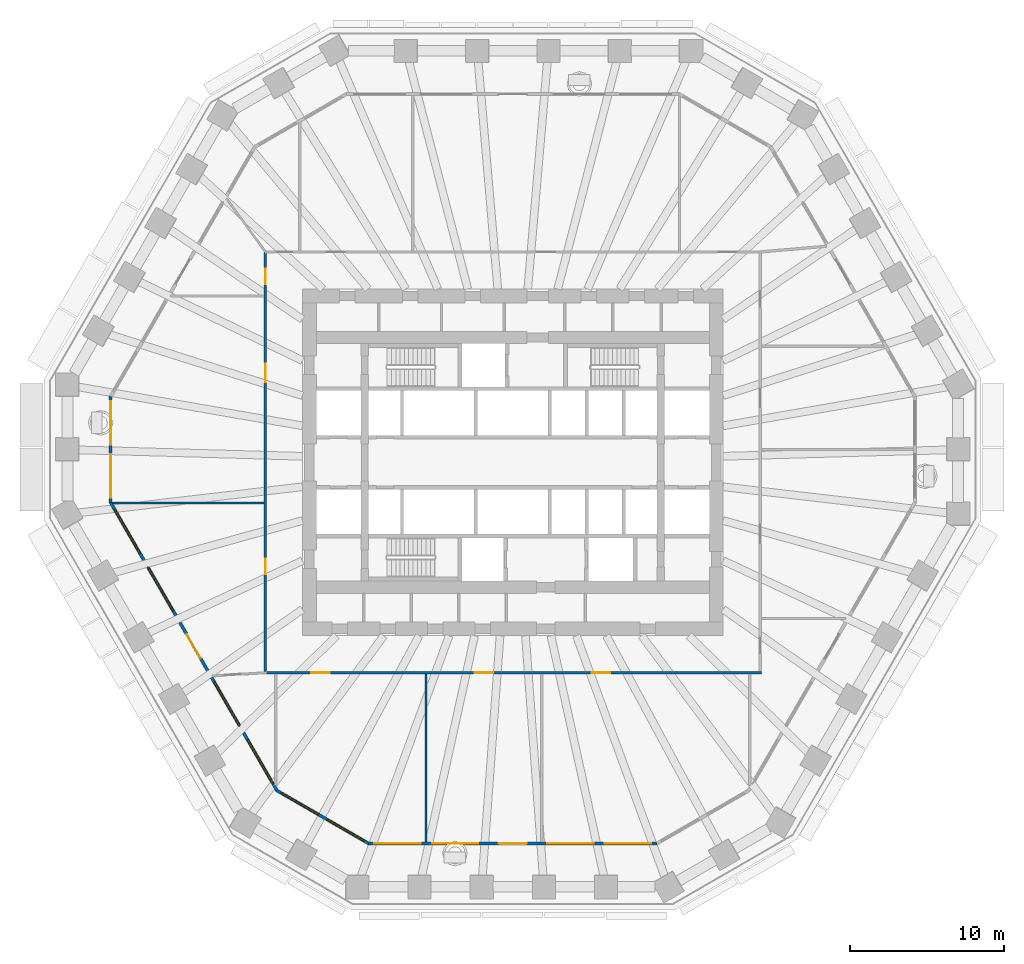
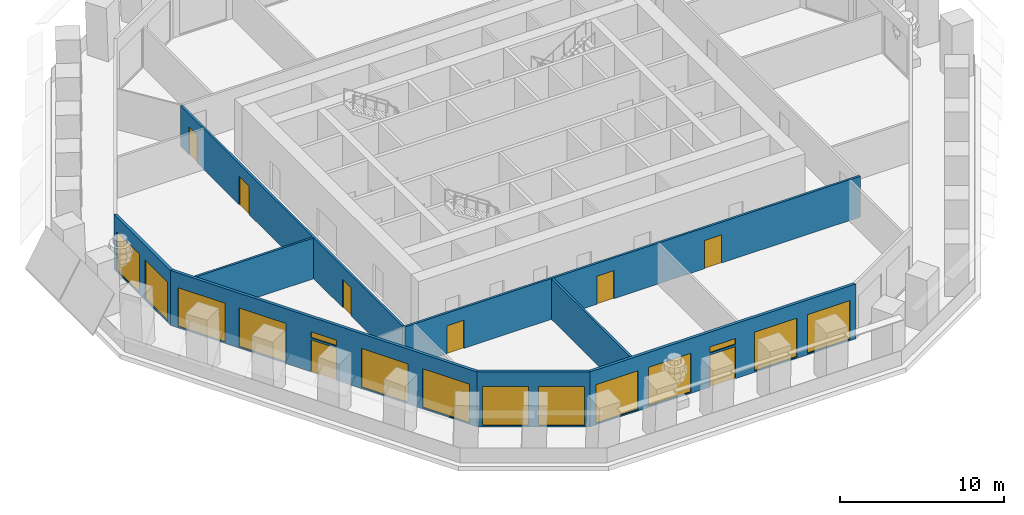
# One storey, part 3 of 12: 14 windows, 8 doors, 8 walls, 22 openings.
"""IFC4 building model written with IfcOpenShell, lengths in metres."""

from ifc_helpers import new_model, si_unit, direction, frame, frame_2d, origin, place, context, subcontext, project, spatial, polyline, rectangle, outline, extrude, material, layer, layer_set, type_object, element, fill, save


model = new_model("IFC4")

# Units and contexts
model_context = context("Model", 3, precision=1e-05, world=origin(), true_north=direction((0.0, 1.0)))
body_context = subcontext(model_context, "Body", "Model", "MODEL_VIEW")
ifc_project = project(units=[si_unit("LENGTHUNIT", "METRE"), si_unit("AREAUNIT", "SQUARE_METRE"), si_unit("VOLUMEUNIT", "CUBIC_METRE"), si_unit("PLANEANGLEUNIT", "RADIAN"), si_unit("MASSUNIT", "GRAM", prefix="KILO")], contexts=[model_context])

# Site, building, storey
site_placement = place(None, origin())
site = spatial("IfcSite", under=ifc_project, at=site_placement, CompositionType="ELEMENT")
building_placement = place(site_placement, origin())
building = spatial("IfcBuilding", under=site, at=building_placement, Name="Frailejon Research Tower", CompositionType="ELEMENT")
storey_placement = place(building_placement, frame((0.0, 0.0, 41.0)))
storey = spatial("IfcBuildingStorey", under=building, at=storey_placement, Name="L09", CompositionType="ELEMENT", Elevation=41.0)

# Wall, openings, doors
ifc_material_1 = material(Name="Gypsum board and masonry partition", Category="masonry")
ifc_layer_1 = layer(ifc_material_1, 0.14990234375)
ifc_layer_set_1 = layer_set([ifc_layer_1], Name="Corridor wall EI 60, gypsum on steel studs 150")
wall_type_1 = type_object("IfcWallType", Name="Corridor wall EI 60, gypsum on steel studs 150", PredefinedType="PARTITIONING", material=ifc_layer_set_1)
wall_1_placement = place(storey_placement, frame((-16.050048828125, -13.574951171875, 0.0), z_axis=(0.0, 0.0, 1.0), x_axis=(0.0, 1.0, 0.0)))
wall_1 = element("IfcWall", 1, at=wall_1_placement, inside=storey, type_object=wall_type_1, Name="T:IW:L09:003", PredefinedType="PARTITIONING", context=body_context, shape_type="SweptSolid", body=[
    extrude(rectangle(XDim=27.175048828125, YDim=0.14990234375, at=frame_2d((13.58740234375, 0.0))), origin(), (0.0, 0.0, 1.0), 3.050048828125),
])
opening_1_placement = place(wall_1_placement, frame((25.121337890625, 0.0, 0.0)))
opening_1 = element("IfcOpeningElement", 2, at=opening_1_placement, cuts=wall_1, Name="Opening D1378", PredefinedType="OPENING", context=body_context, shape_type="SweptSolid", body=[
    extrude(rectangle(XDim=1.0, YDim=2.10009765625, at=frame_2d((0.5, 1.050048828125))), frame((0.0, 0.0849609375, 0.0), z_axis=(0.0, -1.0, 0.0), x_axis=(1.0, 0.0, 0.0)), (0.0, 0.0, 1.0), 0.169921875),
])
opening_2_placement = place(wall_1_placement, frame((18.78173828125, 0.0, 0.0)))
opening_2 = element("IfcOpeningElement", 3, at=opening_2_placement, cuts=wall_1, Name="Opening D1379", PredefinedType="OPENING", context=body_context, shape_type="SweptSolid", body=[
    extrude(rectangle(XDim=1.199951171875, YDim=2.10009765625, at=frame_2d((0.60009765625, 1.050048828125))), frame((0.0, 0.0849609375, 0.0), z_axis=(0.0, -1.0, 0.0), x_axis=(1.0, 0.0, 0.0)), (0.0, 0.0, 1.0), 0.169921875),
])
opening_3_placement = place(wall_1_placement, frame((6.330078125, 0.0, 0.0)))
opening_3 = element("IfcOpeningElement", 4, at=opening_3_placement, cuts=wall_1, Name="Opening D1380", PredefinedType="OPENING", context=body_context, shape_type="SweptSolid", body=[
    extrude(rectangle(XDim=1.0, YDim=2.10009765625, at=frame_2d((0.5, 1.050048828125))), frame((0.0, 0.0849609375, 0.0), z_axis=(0.0, -1.0, 0.0), x_axis=(1.0, 0.0, 0.0)), (0.0, 0.0, 1.0), 0.169921875),
])
ifc_material_2 = material(Name="Timber door leaf", Category="wood")
door_type_1 = type_object("IfcDoorType", Name="Door laboratory, timber, vision panel 1200", OperationType="NOTDEFINED", PredefinedType="DOOR", material=ifc_material_2)
door_1_placement = place(opening_2_placement, origin())
door_1 = element("IfcDoor", 5, at=door_1_placement, inside=storey, type_object=door_type_1, Name="D1379", OperationType="DOUBLE_DOOR_SINGLE_SWING", OverallHeight=2.10009765625, OverallWidth=1.199951171875, PredefinedType="DOOR", context=body_context, shape_type="SweptSolid", body=[
    extrude(rectangle(XDim=1.199951171875, YDim=2.10009765625, at=frame_2d((0.60009765625, 1.050048828125))), frame((0.0, 0.02490234375, 0.0), z_axis=(0.0, -1.0, 0.0), x_axis=(1.0, 0.0, 0.0)), (0.0, 0.0, 1.0), 0.050048828125),
])
fill(opening_2, door_1)
ifc_material_3 = material(Name="Timber door leaf", Category="wood")
door_type_2 = type_object("IfcDoorType", Name="Door single leaf, timber, steel frame 1000", OperationType="NOTDEFINED", PredefinedType="DOOR", material=ifc_material_3)
door_2_placement = place(opening_1_placement, origin())
door_2 = element("IfcDoor", 6, at=door_2_placement, inside=storey, type_object=door_type_2, Name="D1378", OperationType="SINGLE_SWING_LEFT", OverallHeight=2.10009765625, OverallWidth=1.0, PredefinedType="DOOR", context=body_context, shape_type="SweptSolid", body=[
    extrude(rectangle(XDim=1.0, YDim=2.10009765625, at=frame_2d((0.5, 1.050048828125))), frame((0.0, 0.02490234375, 0.0), z_axis=(0.0, -1.0, 0.0), x_axis=(1.0, 0.0, 0.0)), (0.0, 0.0, 1.0), 0.050048828125),
])
fill(opening_1, door_2)
door_3_placement = place(opening_3_placement, origin())
door_3 = element("IfcDoor", 7, at=door_3_placement, inside=storey, type_object=door_type_2, Name="D1380", OperationType="SINGLE_SWING_LEFT", OverallHeight=2.10009765625, OverallWidth=1.0, PredefinedType="DOOR", context=body_context, shape_type="SweptSolid", body=[
    extrude(rectangle(XDim=1.0, YDim=2.10009765625, at=frame_2d((0.5, 1.050048828125))), frame((0.0, 0.02490234375, 0.0), z_axis=(0.0, -1.0, 0.0), x_axis=(1.0, 0.0, 0.0)), (0.0, 0.0, 1.0), 0.050048828125),
])
fill(opening_3, door_3)

wall_2_placement = place(storey_placement, frame((-16.0, -13.64990234375, 0.0), z_axis=(0.0, 0.0, 1.0), x_axis=(1.0, 0.0, 0.0)))
wall_2 = element("IfcWall", 8, at=wall_2_placement, inside=storey, type_object=wall_type_1, Name="T:IW:L09:004", PredefinedType="PARTITIONING", context=body_context, shape_type="SweptSolid", body=[
    extrude(rectangle(XDim=32.125, YDim=0.14990234375, at=frame_2d((16.0625, 0.0))), origin(), (0.0, 0.0, 1.0), 3.050048828125),
])
opening_4_placement = place(wall_2_placement, frame((2.935302734375, 0.0, 0.0)))
opening_4 = element("IfcOpeningElement", 9, at=opening_4_placement, cuts=wall_2, Name="Opening D1382", PredefinedType="OPENING", context=body_context, shape_type="SweptSolid", body=[
    extrude(rectangle(XDim=1.199951171875, YDim=2.10009765625, at=frame_2d((0.60009765625, 1.050048828125))), frame((0.0, 0.0849609375, 0.0), z_axis=(0.0, -1.0, 0.0), x_axis=(1.0, 0.0, 0.0)), (0.0, 0.0, 1.0), 0.169921875),
])
opening_5_placement = place(wall_2_placement, frame((13.5244140625, 0.0, 0.0)))
opening_5 = element("IfcOpeningElement", 10, at=opening_5_placement, cuts=wall_2, Name="Opening D1383", PredefinedType="OPENING", context=body_context, shape_type="SweptSolid", body=[
    extrude(rectangle(XDim=1.199951171875, YDim=2.10009765625, at=frame_2d((0.60009765625, 1.050048828125))), frame((0.0, 0.0849609375, 0.0), z_axis=(0.0, -1.0, 0.0), x_axis=(1.0, 0.0, 0.0)), (0.0, 0.0, 1.0), 0.169921875),
])
opening_6_placement = place(wall_2_placement, frame((21.1259765625, 0.0, 0.0)))
opening_6 = element("IfcOpeningElement", 11, at=opening_6_placement, cuts=wall_2, Name="Opening D1384", PredefinedType="OPENING", context=body_context, shape_type="SweptSolid", body=[
    extrude(rectangle(XDim=1.199951171875, YDim=2.10009765625, at=frame_2d((0.60009765625, 1.050048828125))), frame((0.0, 0.0849609375, 0.0), z_axis=(0.0, -1.0, 0.0), x_axis=(1.0, 0.0, 0.0)), (0.0, 0.0, 1.0), 0.169921875),
])
door_4_placement = place(opening_4_placement, origin())
door_4 = element("IfcDoor", 12, at=door_4_placement, inside=storey, type_object=door_type_1, Name="D1382", OperationType="DOUBLE_DOOR_SINGLE_SWING", OverallHeight=2.10009765625, OverallWidth=1.199951171875, PredefinedType="DOOR", context=body_context, shape_type="SweptSolid", body=[
    extrude(rectangle(XDim=1.199951171875, YDim=2.10009765625, at=frame_2d((0.60009765625, 1.050048828125))), frame((0.0, 0.02490234375, 0.0), z_axis=(0.0, -1.0, 0.0), x_axis=(1.0, 0.0, 0.0)), (0.0, 0.0, 1.0), 0.050048828125),
])
fill(opening_4, door_4)
door_5_placement = place(opening_5_placement, origin())
door_5 = element("IfcDoor", 13, at=door_5_placement, inside=storey, type_object=door_type_1, Name="D1383", OperationType="DOUBLE_DOOR_SINGLE_SWING", OverallHeight=2.10009765625, OverallWidth=1.199951171875, PredefinedType="DOOR", context=body_context, shape_type="SweptSolid", body=[
    extrude(rectangle(XDim=1.199951171875, YDim=2.10009765625, at=frame_2d((0.60009765625, 1.050048828125))), frame((0.0, 0.02490234375, 0.0), z_axis=(0.0, -1.0, 0.0), x_axis=(1.0, 0.0, 0.0)), (0.0, 0.0, 1.0), 0.050048828125),
])
fill(opening_5, door_5)
door_6_placement = place(opening_6_placement, origin())
door_6 = element("IfcDoor", 14, at=door_6_placement, inside=storey, type_object=door_type_1, Name="D1384", OperationType="DOUBLE_DOOR_SINGLE_SWING", OverallHeight=2.10009765625, OverallWidth=1.199951171875, PredefinedType="DOOR", context=body_context, shape_type="SweptSolid", body=[
    extrude(rectangle(XDim=1.199951171875, YDim=2.10009765625, at=frame_2d((0.60009765625, 1.050048828125))), frame((0.0, 0.02490234375, 0.0), z_axis=(0.0, -1.0, 0.0), x_axis=(1.0, 0.0, 0.0)), (0.0, 0.0, 1.0), 0.050048828125),
])
fill(opening_6, door_6)

# Walls
ifc_material_4 = material(Name="Gypsum board and masonry partition", Category="masonry")
ifc_layer_2 = layer(ifc_material_4, 0.14990234375)
ifc_layer_set_2 = layer_set([ifc_layer_2], Name="Laboratory partition, blockwork 150")
wall_type_2 = type_object("IfcWallType", Name="Laboratory partition, blockwork 150", PredefinedType="PARTITIONING", material=ifc_layer_set_2)
wall_3_placement = place(storey_placement, frame((-25.9609375, -2.634521484375, 0.0), z_axis=(0.0, 0.0, 1.0), x_axis=(1.0, 0.0, 0.0)))
element("IfcWall", 15, at=wall_3_placement, inside=storey, type_object=wall_type_2, Name="T:IW:L09:012", PredefinedType="PARTITIONING", context=body_context, shape_type="SweptSolid", body=[
    extrude(rectangle(XDim=9.8359375, YDim=0.14990234375, at=frame_2d((4.91796875, 0.0))), origin(), (0.0, 0.0, 1.0), 3.050048828125),
])
wall_4_placement = place(storey_placement, frame((-5.62646484375, -24.629638671875, 0.0), z_axis=(0.0, 0.0, 1.0), x_axis=(0.0, 1.0, 0.0)))
element("IfcWall", 16, at=wall_4_placement, inside=storey, type_object=wall_type_2, Name="T:IW:L09:014", PredefinedType="PARTITIONING", context=body_context, shape_type="SweptSolid", body=[
    extrude(rectangle(XDim=10.904541015625, YDim=0.14990234375, at=frame_2d((5.4521484375, 0.0))), origin(), (0.0, 0.0, 1.0), 3.050048828125),
])

# Wall, openings, windows
ifc_material_5 = material(Name="Concrete C40/50 precast window wall panel", Category="concrete")
ifc_layer_3 = layer(ifc_material_5, 0.199951171875)
ifc_layer_set_3 = layer_set([ifc_layer_3], Name="Window wall 200")
wall_type_3 = type_object("IfcWallType", Name="Window wall 200", PredefinedType="SOLIDWALL", material=ifc_layer_set_3)
wall_5_placement = place(storey_placement, frame((-26.091796875, 4.26708984375, 0.0), z_axis=(0.0, 0.0, 1.0), x_axis=(0.0, -1.0, 0.0)))
wall_5 = element("IfcWall", 17, at=wall_5_placement, inside=storey, type_object=wall_type_3, Name="Exterior wall L09", PredefinedType="SOLIDWALL", context=body_context, shape_type="SweptSolid", body=[
    extrude(outline(polyline([(-0.02685546875, -0.10009765625), (1.1279296875, -0.10009765625), (2.28271484375, -0.10009765625), (3.4375, -0.10009765625), (4.592041015625, -0.10009765625), (5.746826171875, -0.10009765625), (6.901611328125, -0.10009765625), (6.847900390625, 0.10009765625), (5.7109375, 0.10009765625), (4.57421875, 0.10009765625), (3.4375, 0.10009765625), (2.300537109375, 0.10009765625), (1.16357421875, 0.10009765625), (0.02685546875, 0.10009765625), (-0.02685546875, -0.10009765625)])), origin(), (0.0, 0.0, 1.0), 4.10009765625),
])
opening_7_placement = place(wall_5_placement, frame((0.318603515625, 0.0, 0.10009765625)))
opening_7 = element("IfcOpeningElement", 18, at=opening_7_placement, cuts=wall_5, Name="Opening W3", PredefinedType="OPENING", context=body_context, shape_type="SweptSolid", body=[
    extrude(rectangle(XDim=2.800048828125, YDim=2.89990234375, at=frame_2d((1.39990234375, 1.449951171875))), frame((0.0, 0.10986328125, 0.0), z_axis=(0.0, -1.0, 0.0), x_axis=(1.0, 0.0, 0.0)), (0.0, 0.0, 1.0), 0.219970703125),
])
opening_8_placement = place(wall_5_placement, frame((3.756103515625, 0.0, 0.10009765625)))
opening_8 = element("IfcOpeningElement", 19, at=opening_8_placement, cuts=wall_5, Name="Opening W3", PredefinedType="OPENING", context=body_context, shape_type="SweptSolid", body=[
    extrude(rectangle(XDim=2.800048828125, YDim=2.89990234375, at=frame_2d((1.39990234375, 1.449951171875))), frame((0.0, 0.10986328125, 0.0), z_axis=(0.0, -1.0, 0.0), x_axis=(1.0, 0.0, 0.0)), (0.0, 0.0, 1.0), 0.219970703125),
])
ifc_material_6 = material(Name="Aluminium framed double glazing", Category="aluminium")
window_type_1 = type_object("IfcWindowType", Name="Window 2800x2900", PartitioningType="SINGLE_PANEL", PredefinedType="WINDOW", material=ifc_material_6)
window_1_placement = place(opening_7_placement, origin())
window_1 = element("IfcWindow", 20, at=window_1_placement, inside=storey, type_object=window_type_1, Name="Window L09", OverallHeight=2.89990234375, OverallWidth=2.800048828125, PartitioningType="SINGLE_PANEL", PredefinedType="WINDOW", context=body_context, shape_type="SweptSolid", body=[
    extrude(rectangle(XDim=2.800048828125, YDim=2.89990234375, at=frame_2d((1.39990234375, 1.449951171875))), frame((0.0, 0.030029296875, 0.0), z_axis=(0.0, -1.0, 0.0), x_axis=(1.0, 0.0, 0.0)), (0.0, 0.0, 1.0), 0.06005859375),
])
fill(opening_7, window_1)
window_2_placement = place(opening_8_placement, origin())
window_2 = element("IfcWindow", 21, at=window_2_placement, inside=storey, type_object=window_type_1, Name="Window L09", OverallHeight=2.89990234375, OverallWidth=2.800048828125, PartitioningType="SINGLE_PANEL", PredefinedType="WINDOW", context=body_context, shape_type="SweptSolid", body=[
    extrude(rectangle(XDim=2.800048828125, YDim=2.89990234375, at=frame_2d((1.39990234375, 1.449951171875))), frame((0.0, 0.030029296875, 0.0), z_axis=(0.0, -1.0, 0.0), x_axis=(1.0, 0.0, 0.0)), (0.0, 0.0, 1.0), 0.06005859375),
])
fill(opening_8, window_2)

# Wall, openings, door, windows
wall_6_placement = place(storey_placement, frame((-26.091796875, -2.607666015625, 0.0), z_axis=(0.0, 0.0, 1.0), x_axis=(0.500001945179, -0.866024280732, 0.0)))
wall_6 = element("IfcWall", 22, at=wall_6_placement, inside=storey, type_object=wall_type_3, Name="Exterior wall L09", PredefinedType="SOLIDWALL", context=body_context, shape_type="SweptSolid", body=[
    extrude(outline(polyline([(-0.02685546875, -0.10009765625), (1.003173828125, -0.10009765625), (2.032958984375, -0.10009765625), (3.06298828125, -0.10009765625), (4.093017578125, -0.10009765625), (5.122802734375, -0.10009765625), (6.15283203125, -0.10009765625), (7.182861328125, -0.10009765625), (8.212646484375, -0.10009765625), (9.24267578125, -0.10009765625), (10.272705078125, -0.10009765625), (11.302490234375, -0.10009765625), (12.33251953125, -0.10009765625), (13.362548828125, -0.10009765625), (14.392333984375, -0.10009765625), (15.42236328125, -0.10009765625), (16.452392578125, -0.10009765625), (17.482177734375, -0.10009765625), (18.51220703125, -0.10009765625), (19.542236328125, -0.10009765625), (20.572021484375, -0.10009765625), (21.60205078125, -0.10009765625), (21.54833984375, 0.10009765625), (20.5234375, 0.10009765625), (19.498779296875, 0.10009765625), (18.473876953125, 0.10009765625), (17.448974609375, 0.10009765625), (16.424072265625, 0.10009765625), (15.3994140625, 0.10009765625), (14.37451171875, 0.10009765625), (13.349609375, 0.10009765625), (12.324951171875, 0.10009765625), (11.300048828125, 0.10009765625), (10.275146484375, 0.10009765625), (9.250244140625, 0.10009765625), (8.2255859375, 0.10009765625), (7.20068359375, 0.10009765625), (6.17578125, 0.10009765625), (5.151123046875, 0.10009765625), (4.126220703125, 0.10009765625), (3.101318359375, 0.10009765625), (2.076416015625, 0.10009765625), (1.0517578125, 0.10009765625), (0.02685546875, 0.10009765625), (-0.02685546875, -0.10009765625)])), origin(), (0.0, 0.0, 1.0), 4.10009765625),
])
opening_9_placement = place(wall_6_placement, frame((0.507568359375, 0.0, 0.10009765625)))
opening_9 = element("IfcOpeningElement", 23, at=opening_9_placement, cuts=wall_6, Name="Opening W5", PredefinedType="OPENING", context=body_context, shape_type="SweptSolid", body=[
    extrude(rectangle(XDim=3.300048828125, YDim=2.89990234375, at=frame_2d((1.64990234375, 1.449951171875))), frame((0.0, 0.10986328125, 0.0), z_axis=(0.0, -1.0, 0.0), x_axis=(1.0, 0.0, 0.0)), (0.0, 0.0, 1.0), 0.219970703125),
])
opening_10_placement = place(wall_6_placement, frame((4.822509765625, 0.0, 0.10009765625)))
opening_10 = element("IfcOpeningElement", 24, at=opening_10_placement, cuts=wall_6, Name="Opening W5", PredefinedType="OPENING", context=body_context, shape_type="SweptSolid", body=[
    extrude(rectangle(XDim=3.300048828125, YDim=2.89990234375, at=frame_2d((1.64990234375, 1.449951171875))), frame((0.0, 0.10986328125, 0.0), z_axis=(0.0, -1.0, 0.0), x_axis=(1.0, 0.0, 0.0)), (0.0, 0.0, 1.0), 0.219970703125),
])
opening_11_placement = place(wall_6_placement, frame((9.8876953125, 0.0, 0.0)))
opening_11 = element("IfcOpeningElement", 25, at=opening_11_placement, cuts=wall_6, Name="Opening LG09-4", PredefinedType="OPENING", context=body_context, shape_type="SweptSolid", body=[
    extrude(rectangle(XDim=1.800048828125, YDim=2.39990234375, at=frame_2d((0.89990234375, 1.199951171875))), frame((0.0, 0.10986328125, 0.0), z_axis=(0.0, -1.0, 0.0), x_axis=(1.0, 0.0, 0.0)), (0.0, 0.0, 1.0), 0.219970703125),
])
opening_12_placement = place(wall_6_placement, frame((9.8876953125, 0.0, 2.550048828125)))
opening_12 = element("IfcOpeningElement", 26, at=opening_12_placement, cuts=wall_6, Name="Opening W1", PredefinedType="OPENING", context=body_context, shape_type="SweptSolid", body=[
    extrude(rectangle(XDim=1.800048828125, YDim=0.449951171875, at=frame_2d((0.89990234375, 0.22509765625))), frame((0.0, 0.10986328125, 0.0), z_axis=(0.0, -1.0, 0.0), x_axis=(1.0, 0.0, 0.0)), (0.0, 0.0, 1.0), 0.219970703125),
])
opening_13_placement = place(wall_6_placement, frame((13.45263671875, 0.0, 0.10009765625)))
opening_13 = element("IfcOpeningElement", 27, at=opening_13_placement, cuts=wall_6, Name="Opening W5", PredefinedType="OPENING", context=body_context, shape_type="SweptSolid", body=[
    extrude(rectangle(XDim=3.300048828125, YDim=2.89990234375, at=frame_2d((1.64990234375, 1.449951171875))), frame((0.0, 0.10986328125, 0.0), z_axis=(0.0, -1.0, 0.0), x_axis=(1.0, 0.0, 0.0)), (0.0, 0.0, 1.0), 0.219970703125),
])
opening_14_placement = place(wall_6_placement, frame((17.767578125, 0.0, 0.10009765625)))
opening_14 = element("IfcOpeningElement", 28, at=opening_14_placement, cuts=wall_6, Name="Opening W5", PredefinedType="OPENING", context=body_context, shape_type="SweptSolid", body=[
    extrude(rectangle(XDim=3.300048828125, YDim=2.89990234375, at=frame_2d((1.64990234375, 1.449951171875))), frame((0.0, 0.10986328125, 0.0), z_axis=(0.0, -1.0, 0.0), x_axis=(1.0, 0.0, 0.0)), (0.0, 0.0, 1.0), 0.219970703125),
])
ifc_material_7 = material(Name="Aluminium framed glazed door leaf", Category="aluminium")
door_type_3 = type_object("IfcDoorType", Name="Loggia door 1800x2400", OperationType="DOUBLE_DOOR_SINGLE_SWING", PredefinedType="DOOR", material=ifc_material_7)
door_7_placement = place(opening_11_placement, origin())
door_7 = element("IfcDoor", 29, at=door_7_placement, inside=storey, type_object=door_type_3, Name="Door LG09-4", OperationType="DOUBLE_DOOR_SINGLE_SWING", OverallHeight=2.39990234375, OverallWidth=1.800048828125, PredefinedType="DOOR", context=body_context, shape_type="SweptSolid", body=[
    extrude(rectangle(XDim=1.800048828125, YDim=2.39990234375, at=frame_2d((0.89990234375, 1.199951171875))), frame((0.0, 0.02490234375, 0.0), z_axis=(0.0, -1.0, 0.0), x_axis=(1.0, 0.0, 0.0)), (0.0, 0.0, 1.0), 0.050048828125),
])
fill(opening_11, door_7)
ifc_material_8 = material(Name="Aluminium framed double glazing", Category="aluminium")
window_type_2 = type_object("IfcWindowType", Name="Window 1800x450", PartitioningType="SINGLE_PANEL", PredefinedType="WINDOW", material=ifc_material_8)
window_3_placement = place(opening_12_placement, origin())
window_3 = element("IfcWindow", 30, at=window_3_placement, inside=storey, type_object=window_type_2, Name="Window L09", OverallHeight=0.449951171875, OverallWidth=1.800048828125, PartitioningType="SINGLE_PANEL", PredefinedType="WINDOW", context=body_context, shape_type="SweptSolid", body=[
    extrude(rectangle(XDim=1.800048828125, YDim=0.449951171875, at=frame_2d((0.89990234375, 0.22509765625))), frame((0.0, 0.030029296875, 0.0), z_axis=(0.0, -1.0, 0.0), x_axis=(1.0, 0.0, 0.0)), (0.0, 0.0, 1.0), 0.06005859375),
])
fill(opening_12, window_3)
ifc_material_9 = material(Name="Aluminium framed double glazing", Category="aluminium")
window_type_3 = type_object("IfcWindowType", Name="Window 3300x2900", PartitioningType="SINGLE_PANEL", PredefinedType="WINDOW", material=ifc_material_9)
window_4_placement = place(opening_9_placement, origin())
window_4 = element("IfcWindow", 31, at=window_4_placement, inside=storey, type_object=window_type_3, Name="Window L09", OverallHeight=2.89990234375, OverallWidth=3.300048828125, PartitioningType="SINGLE_PANEL", PredefinedType="WINDOW", context=body_context, shape_type="SweptSolid", body=[
    extrude(rectangle(XDim=3.300048828125, YDim=2.89990234375, at=frame_2d((1.64990234375, 1.449951171875))), frame((0.0, 0.030029296875, 0.0), z_axis=(0.0, -1.0, 0.0), x_axis=(1.0, 0.0, 0.0)), (0.0, 0.0, 1.0), 0.06005859375),
])
fill(opening_9, window_4)
window_5_placement = place(opening_10_placement, origin())
window_5 = element("IfcWindow", 32, at=window_5_placement, inside=storey, type_object=window_type_3, Name="Window L09", OverallHeight=2.89990234375, OverallWidth=3.300048828125, PartitioningType="SINGLE_PANEL", PredefinedType="WINDOW", context=body_context, shape_type="SweptSolid", body=[
    extrude(rectangle(XDim=3.300048828125, YDim=2.89990234375, at=frame_2d((1.64990234375, 1.449951171875))), frame((0.0, 0.030029296875, 0.0), z_axis=(0.0, -1.0, 0.0), x_axis=(1.0, 0.0, 0.0)), (0.0, 0.0, 1.0), 0.06005859375),
])
fill(opening_10, window_5)
window_6_placement = place(opening_13_placement, origin())
window_6 = element("IfcWindow", 33, at=window_6_placement, inside=storey, type_object=window_type_3, Name="Window L09", OverallHeight=2.89990234375, OverallWidth=3.300048828125, PartitioningType="SINGLE_PANEL", PredefinedType="WINDOW", context=body_context, shape_type="SweptSolid", body=[
    extrude(rectangle(XDim=3.300048828125, YDim=2.89990234375, at=frame_2d((1.64990234375, 1.449951171875))), frame((0.0, 0.030029296875, 0.0), z_axis=(0.0, -1.0, 0.0), x_axis=(1.0, 0.0, 0.0)), (0.0, 0.0, 1.0), 0.06005859375),
])
fill(opening_13, window_6)
window_7_placement = place(opening_14_placement, origin())
window_7 = element("IfcWindow", 34, at=window_7_placement, inside=storey, type_object=window_type_3, Name="Window L09", OverallHeight=2.89990234375, OverallWidth=3.300048828125, PartitioningType="SINGLE_PANEL", PredefinedType="WINDOW", context=body_context, shape_type="SweptSolid", body=[
    extrude(rectangle(XDim=3.300048828125, YDim=2.89990234375, at=frame_2d((1.64990234375, 1.449951171875))), frame((0.0, 0.030029296875, 0.0), z_axis=(0.0, -1.0, 0.0), x_axis=(1.0, 0.0, 0.0)), (0.0, 0.0, 1.0), 0.06005859375),
])
fill(opening_14, window_7)

# Wall, openings, windows
wall_7_placement = place(storey_placement, frame((-15.30419921875, -21.292236328125, 0.0), z_axis=(0.0, 0.0, 1.0), x_axis=(0.866014080581, -0.50001961185, 0.0)))
wall_7 = element("IfcWall", 35, at=wall_7_placement, inside=storey, type_object=wall_type_3, Name="Exterior wall L09", PredefinedType="SOLIDWALL", context=body_context, shape_type="SweptSolid", body=[
    extrude(outline(polyline([(-0.02685546875, -0.10009765625), (1.1279296875, -0.10009765625), (2.28271484375, -0.10009765625), (3.4375, -0.10009765625), (4.592041015625, -0.10009765625), (5.746826171875, -0.10009765625), (6.901611328125, -0.10009765625), (6.847900390625, 0.10009765625), (5.7109375, 0.10009765625), (4.57421875, 0.10009765625), (3.4375, 0.10009765625), (2.300537109375, 0.10009765625), (1.16357421875, 0.10009765625), (0.02685546875, 0.10009765625), (-0.02685546875, -0.10009765625)])), origin(), (0.0, 0.0, 1.0), 4.10009765625),
])
opening_15_placement = place(wall_7_placement, frame((0.318603515625, 0.0, 0.10009765625)))
opening_15 = element("IfcOpeningElement", 36, at=opening_15_placement, cuts=wall_7, Name="Opening W3", PredefinedType="OPENING", context=body_context, shape_type="SweptSolid", body=[
    extrude(rectangle(XDim=2.800048828125, YDim=2.89990234375, at=frame_2d((1.39990234375, 1.449951171875))), frame((0.0, 0.10986328125, 0.0), z_axis=(0.0, -1.0, 0.0), x_axis=(1.0, 0.0, 0.0)), (0.0, 0.0, 1.0), 0.219970703125),
])
opening_16_placement = place(wall_7_placement, frame((3.756103515625, 0.0, 0.10009765625)))
opening_16 = element("IfcOpeningElement", 37, at=opening_16_placement, cuts=wall_7, Name="Opening W3", PredefinedType="OPENING", context=body_context, shape_type="SweptSolid", body=[
    extrude(rectangle(XDim=2.800048828125, YDim=2.89990234375, at=frame_2d((1.39990234375, 1.449951171875))), frame((0.0, 0.10986328125, 0.0), z_axis=(0.0, -1.0, 0.0), x_axis=(1.0, 0.0, 0.0)), (0.0, 0.0, 1.0), 0.219970703125),
])
window_8_placement = place(opening_15_placement, origin())
window_8 = element("IfcWindow", 38, at=window_8_placement, inside=storey, type_object=window_type_1, Name="Window L09", OverallHeight=2.89990234375, OverallWidth=2.800048828125, PartitioningType="SINGLE_PANEL", PredefinedType="WINDOW", context=body_context, shape_type="SweptSolid", body=[
    extrude(rectangle(XDim=2.800048828125, YDim=2.89990234375, at=frame_2d((1.39990234375, 1.449951171875))), frame((0.0, 0.030029296875, 0.0), z_axis=(0.0, -1.0, 0.0), x_axis=(1.0, 0.0, 0.0)), (0.0, 0.0, 1.0), 0.06005859375),
])
fill(opening_15, window_8)
window_9_placement = place(opening_16_placement, origin())
window_9 = element("IfcWindow", 39, at=window_9_placement, inside=storey, type_object=window_type_1, Name="Window L09", OverallHeight=2.89990234375, OverallWidth=2.800048828125, PartitioningType="SINGLE_PANEL", PredefinedType="WINDOW", context=body_context, shape_type="SweptSolid", body=[
    extrude(rectangle(XDim=2.800048828125, YDim=2.89990234375, at=frame_2d((1.39990234375, 1.449951171875))), frame((0.0, 0.030029296875, 0.0), z_axis=(0.0, -1.0, 0.0), x_axis=(1.0, 0.0, 0.0)), (0.0, 0.0, 1.0), 0.06005859375),
])
fill(opening_16, window_9)

# Wall, openings, door, windows
wall_8_placement = place(storey_placement, frame((-9.3505859375, -24.729736328125, 0.0), z_axis=(0.0, 0.0, 1.0), x_axis=(1.0, 0.0, 0.0)))
wall_8 = element("IfcWall", 40, at=wall_8_placement, inside=storey, type_object=wall_type_3, Name="Exterior wall L09", PredefinedType="SOLIDWALL", context=body_context, shape_type="SweptSolid", body=[
    extrude(outline(polyline([(-0.02685546875, -0.10009765625), (1.01513671875, -0.10009765625), (2.05712890625, -0.10009765625), (3.098876953125, -0.10009765625), (4.140869140625, -0.10009765625), (5.182861328125, -0.10009765625), (6.224853515625, -0.10009765625), (7.2666015625, -0.10009765625), (8.30859375, -0.10009765625), (9.3505859375, -0.10009765625), (10.392578125, -0.10009765625), (11.4345703125, -0.10009765625), (12.476318359375, -0.10009765625), (13.518310546875, -0.10009765625), (14.560302734375, -0.10009765625), (15.602294921875, -0.10009765625), (16.64404296875, -0.10009765625), (17.68603515625, -0.10009765625), (18.72802734375, -0.10009765625), (18.67431640625, 0.10009765625), (17.638427734375, 0.10009765625), (16.602294921875, 0.10009765625), (15.56640625, 0.10009765625), (14.530517578125, 0.10009765625), (13.494384765625, 0.10009765625), (12.45849609375, 0.10009765625), (11.422607421875, 0.10009765625), (10.386474609375, 0.10009765625), (9.3505859375, 0.10009765625), (8.314697265625, 0.10009765625), (7.278564453125, 0.10009765625), (6.24267578125, 0.10009765625), (5.206787109375, 0.10009765625), (4.170654296875, 0.10009765625), (3.134765625, 0.10009765625), (2.098876953125, 0.10009765625), (1.062744140625, 0.10009765625), (0.02685546875, 0.10009765625), (-0.02685546875, -0.10009765625)])), origin(), (0.0, 0.0, 1.0), 4.10009765625),
])
opening_17_placement = place(wall_8_placement, frame((0.3701171875, 0.0, 0.10009765625)))
opening_17 = element("IfcOpeningElement", 41, at=opening_17_placement, cuts=wall_8, Name="Opening W4", PredefinedType="OPENING", context=body_context, shape_type="SweptSolid", body=[
    extrude(rectangle(XDim=3.0, YDim=2.89990234375, at=frame_2d((1.5, 1.449951171875))), frame((0.0, 0.10986328125, 0.0), z_axis=(0.0, -1.0, 0.0), x_axis=(1.0, 0.0, 0.0)), (0.0, 0.0, 1.0), 0.219970703125),
])
opening_18_placement = place(wall_8_placement, frame((4.1103515625, 0.0, 0.10009765625)))
opening_18 = element("IfcOpeningElement", 42, at=opening_18_placement, cuts=wall_8, Name="Opening W4", PredefinedType="OPENING", context=body_context, shape_type="SweptSolid", body=[
    extrude(rectangle(XDim=3.0, YDim=2.89990234375, at=frame_2d((1.5, 1.449951171875))), frame((0.0, 0.10986328125, 0.0), z_axis=(0.0, -1.0, 0.0), x_axis=(1.0, 0.0, 0.0)), (0.0, 0.0, 1.0), 0.219970703125),
])
opening_19_placement = place(wall_8_placement, frame((8.45068359375, 0.0, 0.0)))
opening_19 = element("IfcOpeningElement", 43, at=opening_19_placement, cuts=wall_8, Name="Opening LG09-5", PredefinedType="OPENING", context=body_context, shape_type="SweptSolid", body=[
    extrude(rectangle(XDim=1.800048828125, YDim=2.39990234375, at=frame_2d((0.89990234375, 1.199951171875))), frame((0.0, 0.10986328125, 0.0), z_axis=(0.0, -1.0, 0.0), x_axis=(1.0, 0.0, 0.0)), (0.0, 0.0, 1.0), 0.219970703125),
])
opening_20_placement = place(wall_8_placement, frame((8.45068359375, 0.0, 2.550048828125)))
opening_20 = element("IfcOpeningElement", 44, at=opening_20_placement, cuts=wall_8, Name="Opening W1", PredefinedType="OPENING", context=body_context, shape_type="SweptSolid", body=[
    extrude(rectangle(XDim=1.800048828125, YDim=0.449951171875, at=frame_2d((0.89990234375, 0.22509765625))), frame((0.0, 0.10986328125, 0.0), z_axis=(0.0, -1.0, 0.0), x_axis=(1.0, 0.0, 0.0)), (0.0, 0.0, 1.0), 0.219970703125),
])
opening_21_placement = place(wall_8_placement, frame((11.5908203125, 0.0, 0.10009765625)))
opening_21 = element("IfcOpeningElement", 45, at=opening_21_placement, cuts=wall_8, Name="Opening W4", PredefinedType="OPENING", context=body_context, shape_type="SweptSolid", body=[
    extrude(rectangle(XDim=3.0, YDim=2.89990234375, at=frame_2d((1.5, 1.449951171875))), frame((0.0, 0.10986328125, 0.0), z_axis=(0.0, -1.0, 0.0), x_axis=(1.0, 0.0, 0.0)), (0.0, 0.0, 1.0), 0.219970703125),
])
opening_22_placement = place(wall_8_placement, frame((15.3310546875, 0.0, 0.10009765625)))
opening_22 = element("IfcOpeningElement", 46, at=opening_22_placement, cuts=wall_8, Name="Opening W4", PredefinedType="OPENING", context=body_context, shape_type="SweptSolid", body=[
    extrude(rectangle(XDim=3.0, YDim=2.89990234375, at=frame_2d((1.5, 1.449951171875))), frame((0.0, 0.10986328125, 0.0), z_axis=(0.0, -1.0, 0.0), x_axis=(1.0, 0.0, 0.0)), (0.0, 0.0, 1.0), 0.219970703125),
])
door_8_placement = place(opening_19_placement, origin())
door_8 = element("IfcDoor", 47, at=door_8_placement, inside=storey, type_object=door_type_3, Name="Door LG09-5", OperationType="DOUBLE_DOOR_SINGLE_SWING", OverallHeight=2.39990234375, OverallWidth=1.800048828125, PredefinedType="DOOR", context=body_context, shape_type="SweptSolid", body=[
    extrude(rectangle(XDim=1.800048828125, YDim=2.39990234375, at=frame_2d((0.89990234375, 1.199951171875))), frame((0.0, 0.02490234375, 0.0), z_axis=(0.0, -1.0, 0.0), x_axis=(1.0, 0.0, 0.0)), (0.0, 0.0, 1.0), 0.050048828125),
])
fill(opening_19, door_8)
window_10_placement = place(opening_20_placement, origin())
window_10 = element("IfcWindow", 48, at=window_10_placement, inside=storey, type_object=window_type_2, Name="Window L09", OverallHeight=0.449951171875, OverallWidth=1.800048828125, PartitioningType="SINGLE_PANEL", PredefinedType="WINDOW", context=body_context, shape_type="SweptSolid", body=[
    extrude(rectangle(XDim=1.800048828125, YDim=0.449951171875, at=frame_2d((0.89990234375, 0.22509765625))), frame((0.0, 0.030029296875, 0.0), z_axis=(0.0, -1.0, 0.0), x_axis=(1.0, 0.0, 0.0)), (0.0, 0.0, 1.0), 0.06005859375),
])
fill(opening_20, window_10)
ifc_material_10 = material(Name="Aluminium framed double glazing", Category="aluminium")
window_type_4 = type_object("IfcWindowType", Name="Window 3000x2900", PartitioningType="SINGLE_PANEL", PredefinedType="WINDOW", material=ifc_material_10)
window_11_placement = place(opening_17_placement, origin())
window_11 = element("IfcWindow", 49, at=window_11_placement, inside=storey, type_object=window_type_4, Name="Window L09", OverallHeight=2.89990234375, OverallWidth=3.0, PartitioningType="SINGLE_PANEL", PredefinedType="WINDOW", context=body_context, shape_type="SweptSolid", body=[
    extrude(rectangle(XDim=3.0, YDim=2.89990234375, at=frame_2d((1.5, 1.449951171875))), frame((0.0, 0.030029296875, 0.0), z_axis=(0.0, -1.0, 0.0), x_axis=(1.0, 0.0, 0.0)), (0.0, 0.0, 1.0), 0.06005859375),
])
fill(opening_17, window_11)
window_12_placement = place(opening_18_placement, origin())
window_12 = element("IfcWindow", 50, at=window_12_placement, inside=storey, type_object=window_type_4, Name="Window L09", OverallHeight=2.89990234375, OverallWidth=3.0, PartitioningType="SINGLE_PANEL", PredefinedType="WINDOW", context=body_context, shape_type="SweptSolid", body=[
    extrude(rectangle(XDim=3.0, YDim=2.89990234375, at=frame_2d((1.5, 1.449951171875))), frame((0.0, 0.030029296875, 0.0), z_axis=(0.0, -1.0, 0.0), x_axis=(1.0, 0.0, 0.0)), (0.0, 0.0, 1.0), 0.06005859375),
])
fill(opening_18, window_12)
window_13_placement = place(opening_21_placement, origin())
window_13 = element("IfcWindow", 51, at=window_13_placement, inside=storey, type_object=window_type_4, Name="Window L09", OverallHeight=2.89990234375, OverallWidth=3.0, PartitioningType="SINGLE_PANEL", PredefinedType="WINDOW", context=body_context, shape_type="SweptSolid", body=[
    extrude(rectangle(XDim=3.0, YDim=2.89990234375, at=frame_2d((1.5, 1.449951171875))), frame((0.0, 0.030029296875, 0.0), z_axis=(0.0, -1.0, 0.0), x_axis=(1.0, 0.0, 0.0)), (0.0, 0.0, 1.0), 0.06005859375),
])
fill(opening_21, window_13)
window_14_placement = place(opening_22_placement, origin())
window_14 = element("IfcWindow", 52, at=window_14_placement, inside=storey, type_object=window_type_4, Name="Window L09", OverallHeight=2.89990234375, OverallWidth=3.0, PartitioningType="SINGLE_PANEL", PredefinedType="WINDOW", context=body_context, shape_type="SweptSolid", body=[
    extrude(rectangle(XDim=3.0, YDim=2.89990234375, at=frame_2d((1.5, 1.449951171875))), frame((0.0, 0.030029296875, 0.0), z_axis=(0.0, -1.0, 0.0), x_axis=(1.0, 0.0, 0.0)), (0.0, 0.0, 1.0), 0.06005859375),
])
fill(opening_22, window_14)

save(model, "model.ifc")
